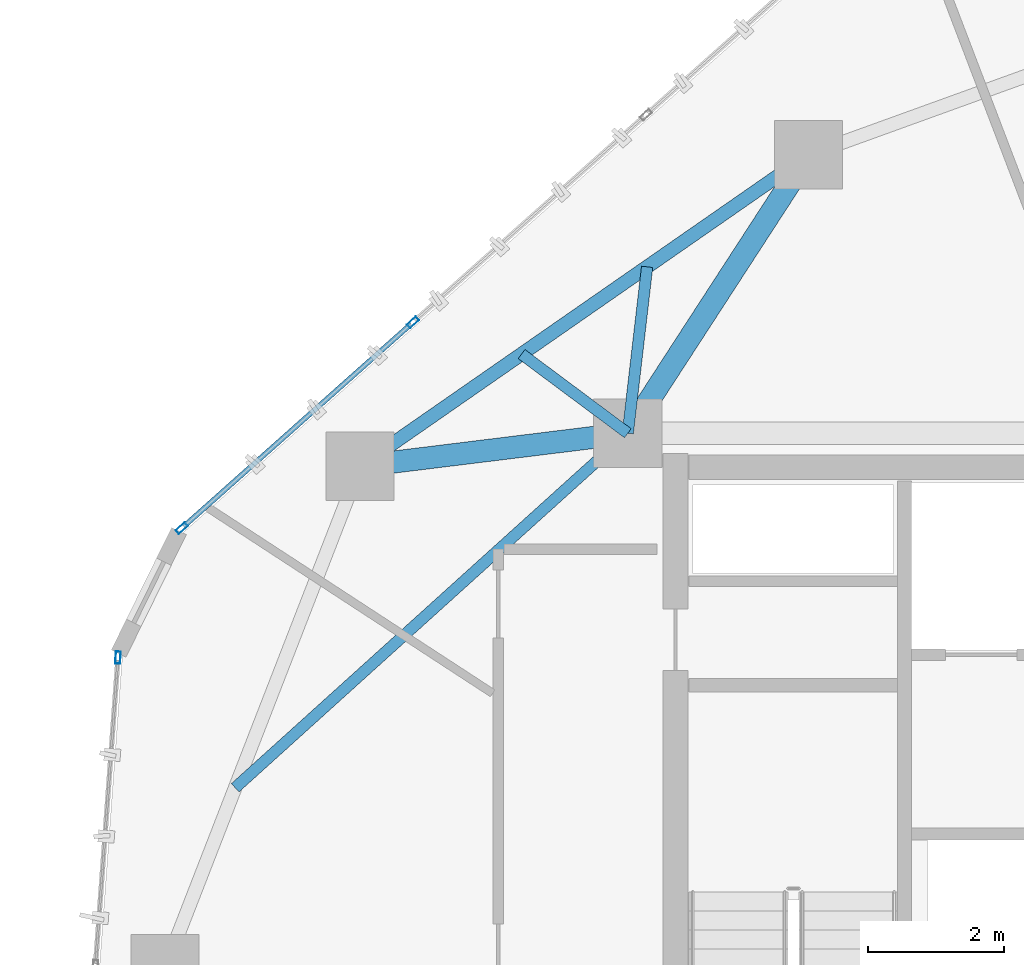
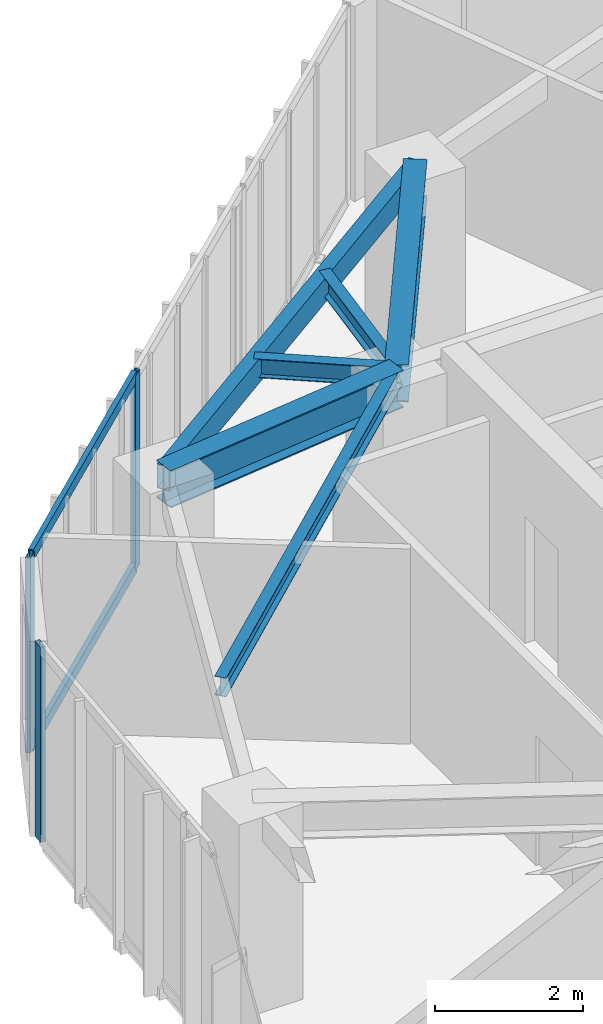
# One storey, part 9 of 19: 6 beams, 5 members, 2 elements without a shape of their own.
"""IFC4 building model written with IfcOpenShell, lengths in metres."""

from ifc_helpers import new_model, si_unit, direction, frame, origin, origin_2d, place, context, subcontext, project, spatial, hollow_rectangle, i_section, extrude, source, transform, mapped, material, layer, layer_set, material_profile, profile_set, type_object, type_shapes, element, aggregate, save


model = new_model("IFC4")

# Units and contexts
model_context = context("Model", 3, precision=1e-05, world=origin(), true_north=direction((0.0, 1.0)))
body_context = subcontext(model_context, "Body", "Model", "MODEL_VIEW")
ifc_project = project(units=[si_unit("LENGTHUNIT", "METRE"), si_unit("AREAUNIT", "SQUARE_METRE"), si_unit("VOLUMEUNIT", "CUBIC_METRE"), si_unit("PLANEANGLEUNIT", "RADIAN"), si_unit("MASSUNIT", "GRAM", prefix="KILO")], contexts=[model_context])

# Site, building, storey
site_placement = place(None, origin())
site = spatial("IfcSite", under=ifc_project, at=site_placement, CompositionType="ELEMENT")
building_placement = place(site_placement, origin())
building = spatial("IfcBuilding", under=site, at=building_placement, Name="Talar Marvaseh", CompositionType="ELEMENT")
storey_placement = place(building_placement, frame((0.0, 0.0, 222.199951171875)))
storey = spatial("IfcBuildingStorey", under=building, at=storey_placement, Name="L58", CompositionType="ELEMENT", Elevation=222.199951171875)

# Beams
ifc_material_1 = material(Name="Steel S355", Category="steel")
ifc_material_profile_1 = material_profile(ifc_material_1, hollow_rectangle(XDim=0.199951171875, YDim=0.39990234375, WallThickness=0.013916015625, at=origin_2d()), Name="RHS400x200x14")
ifc_profile_set_1 = profile_set([ifc_material_profile_1], Name="Steel S355")
beam_type_1 = type_object("IfcBeamType", Name="Zone 3 Perimeter Spandrel Beam RHS400x200x14", PredefinedType="SPANDREL", material=ifc_profile_set_1)
beam_1_placement = place(storey_placement, frame((14.77294921875, 36.416015625, 3.030029296875), z_axis=(0.821296978901, 0.570500896098, 0.0), x_axis=(-0.570500896098, 0.821296978901, 0.0)))
element("IfcBeam", 1, at=beam_1_placement, inside=storey, type_object=beam_type_1, Name="L58 Zone 3 Perimeter Spandrel Beam RHS400x200x14", PredefinedType="SPANDREL", context=body_context, shape_type="SweptSolid", body=[
    extrude(hollow_rectangle(XDim=0.199951171875, YDim=0.39990234375, WallThickness=0.013916015625, at=origin_2d()), origin(), (0.0, 0.0, 1.0), 8.0107421875),
])
ifc_material_profile_2 = material_profile(ifc_material_1, i_section(OverallWidth=0.324951171875, OverallDepth=0.615966796875, WebThickness=0.013916015625, FlangeThickness=0.021484375, at=origin_2d()), Name="W610x174")
ifc_profile_set_2 = profile_set([ifc_material_profile_2], Name="Steel S355")
beam_type_2 = type_object("IfcBeamType", Name="Zone 3 Radial Floor Girder W610x174", PredefinedType="BEAM", material=ifc_profile_set_2)
beam_2_placement = place(storey_placement, frame((14.77294921875, 36.416015625, 2.922119140625), z_axis=(0.99249373738, 0.122295467049, 0.0), x_axis=(-0.122295467049, 0.99249373738, 0.0)))
element("IfcBeam", 2, at=beam_2_placement, inside=storey, type_object=beam_type_2, Name="L58 Zone 3 Radial Floor Girder W610x174", PredefinedType="BEAM", context=body_context, shape_type="SweptSolid", body=[
    extrude(i_section(OverallWidth=0.324951171875, OverallDepth=0.615966796875, WebThickness=0.013916015625, FlangeThickness=0.021484375, at=origin_2d()), origin(), (0.0, 0.0, 1.0), 3.956787109375),
])
beam_3_placement = place(storey_placement, frame((21.35205078125, 40.986083984375, 2.922119140625), z_axis=(-0.544422757063, -0.838810980849, 0.0), x_axis=(0.838810980849, -0.544422757063, 0.0)))
element("IfcBeam", 3, at=beam_3_placement, inside=storey, type_object=beam_type_2, Name="L58 Zone 3 Radial Floor Girder W610x174", PredefinedType="BEAM", context=body_context, shape_type="SweptSolid", body=[
    extrude(i_section(OverallWidth=0.324951171875, OverallDepth=0.615966796875, WebThickness=0.013916015625, FlangeThickness=0.021484375, at=origin_2d()), origin(), (0.0, 0.0, 1.0), 4.871337890625),
])
ifc_material_profile_3 = material_profile(ifc_material_1, i_section(OverallWidth=0.166015625, OverallDepth=0.31298828125, WebThickness=0.006591796875, FlangeThickness=0.01123046875, at=origin_2d()), Name="W310x45")
ifc_profile_set_3 = profile_set([ifc_material_profile_3], Name="Steel S355")
beam_type_3 = type_object("IfcBeamType", Name="Zone 3 Secondary Floor Joist W310x45", PredefinedType="JOIST", material=ifc_profile_set_3)
beam_4_placement = place(storey_placement, frame((12.93994140625, 31.698486328125, 3.073486328125), z_axis=(0.74217784775, 0.670202985899, 0.0), x_axis=(-0.670202985899, 0.74217784775, 0.0)))
element("IfcBeam", 4, at=beam_4_placement, inside=storey, type_object=beam_type_3, Name="L58 Zone 3 Secondary Floor Joist W310x45", PredefinedType="JOIST", context=body_context, shape_type="SweptSolid", body=[
    extrude(i_section(OverallWidth=0.166015625, OverallDepth=0.31298828125, WebThickness=0.006591796875, FlangeThickness=0.01123046875, at=origin_2d()), origin(), (0.0, 0.0, 1.0), 7.760986328125),
])
beam_5_placement = place(storey_placement, frame((17.141357421875, 38.061279296875, 3.073486328125), z_axis=(0.801865127607, -0.597505077072, 0.0), x_axis=(0.597505077072, 0.801865127607, 0.0)))
element("IfcBeam", 5, at=beam_5_placement, inside=storey, type_object=beam_type_3, Name="L58 Zone 3 Secondary Floor Joist W310x45", PredefinedType="JOIST", context=body_context, shape_type="SweptSolid", body=[
    extrude(i_section(OverallWidth=0.166015625, OverallDepth=0.31298828125, WebThickness=0.006591796875, FlangeThickness=0.01123046875, at=origin_2d()), origin(), (0.0, 0.0, 1.0), 1.943603515625),
])
beam_6_placement = place(storey_placement, frame((18.983642578125, 39.3408203125, 3.073486328125), z_axis=(-0.115446145895, -0.993313740667, 0.0), x_axis=(0.993313740667, -0.115446145895, 0.0)))
element("IfcBeam", 6, at=beam_6_placement, inside=storey, type_object=beam_type_3, Name="L58 Zone 3 Secondary Floor Joist W310x45", PredefinedType="JOIST", context=body_context, shape_type="SweptSolid", body=[
    extrude(i_section(OverallWidth=0.166015625, OverallDepth=0.31298828125, WebThickness=0.006591796875, FlangeThickness=0.01123046875, at=origin_2d()), origin(), (0.0, 0.0, 1.0), 2.457275390625),
])

# Curtain wall, member
ifc_material_2 = material(Name="Architectural Aluminium", Category="aluminium")
ifc_layer = layer(ifc_material_2, 0.18994140625)
ifc_layer_set = layer_set([ifc_layer], Name="Architectural Aluminium")
curtain_wall_type = type_object("IfcCurtainWallType", Name="Unitised Solar Atelier Curtain Wall Z3", PredefinedType="NOTDEFINED", material=ifc_layer_set)
curtain_wall_1_placement = place(storey_placement, origin())
curtain_wall_1 = element("IfcCurtainWall", 7, at=curtain_wall_1_placement, inside=storey, type_object=curtain_wall_type, Name="L58 Unitised Solar Atelier Curtain Wall Z3", PredefinedType="NOTDEFINED")
ifc_material_profile_4 = material_profile(ifc_material_2, hollow_rectangle(XDim=0.074951171875, YDim=0.179931640625, WallThickness=0.0048828125, at=origin_2d()), Name="RHS180x75x5")
ifc_profile_set_4 = profile_set([ifc_material_profile_4], Name="Architectural Aluminium")
member_type_1 = type_object("IfcMemberType", Name="Unitised Curtain Wall Standard Mullion RHS180x75x5", PredefinedType="MULLION", material=ifc_profile_set_4)
shared_shape_1 = source(origin(), body_context, "Body", "SweptSolid", [
    extrude(hollow_rectangle(XDim=0.074951171875, YDim=0.179931640625, WallThickness=0.0048828125, at=origin_2d()), origin(), (0.0, 0.0, 1.0), 3.22998046875),
])
type_shapes(member_type_1, [shared_shape_1])
member_1_placement = place(storey_placement, frame((11.220703125, 33.60791015625, 0.0), z_axis=(0.0, 0.0, 1.0), x_axis=(-0.99733736785, 0.072925816354, 0.0)))
member_1 = element("IfcMember", 8, at=member_1_placement, type_object=member_type_1, Name="CW-Z3 mullion 4", PredefinedType="MULLION", context=body_context, shape_type="MappedRepresentation", body=[
    mapped(shared_shape_1, transform((0.0, 0.0, 0.0), x_axis=(1.0, 0.0, 0.0), y_axis=(0.0, 1.0, 0.0), z_axis=(0.0, 0.0, 1.0), scale=1.0)),
])
aggregate(curtain_wall_1, [member_1])

# Curtain wall, members
curtain_wall_2_placement = place(storey_placement, origin())
curtain_wall_2 = element("IfcCurtainWall", 9, at=curtain_wall_2_placement, inside=storey, type_object=curtain_wall_type, Name="L58 Unitised Solar Atelier Curtain Wall Z3", PredefinedType="NOTDEFINED")
member_2_placement = place(storey_placement, frame((12.1572265625, 35.507080078125, 0.0), z_axis=(0.0, 0.0, 1.0), x_axis=(-0.664998221476, 0.74684494069, 0.0)))
member_2 = element("IfcMember", 10, at=member_2_placement, type_object=member_type_1, Name="CW-Z3 mullion 1", PredefinedType="MULLION", context=body_context, shape_type="MappedRepresentation", body=[
    mapped(shared_shape_1, transform((0.0, 0.0, 0.0), x_axis=(1.0, 0.0, 0.0), y_axis=(0.0, 1.0, 0.0), z_axis=(0.0, 0.0, 1.0), scale=1.0)),
])
member_3_placement = place(storey_placement, frame((15.547607421875, 38.52587890625, 0.0), z_axis=(0.0, 0.0, 1.0), x_axis=(-0.664998221476, 0.74684494069, 0.0)))
member_3 = element("IfcMember", 11, at=member_3_placement, type_object=member_type_1, Name="CW-Z3 mullion 2", PredefinedType="MULLION", context=body_context, shape_type="MappedRepresentation", body=[
    mapped(shared_shape_1, transform((0.0, 0.0, 0.0), x_axis=(1.0, 0.0, 0.0), y_axis=(0.0, 1.0, 0.0), z_axis=(0.0, 0.0, 1.0), scale=1.0)),
])
ifc_material_profile_5 = material_profile(ifc_material_2, hollow_rectangle(XDim=0.074951171875, YDim=0.179931640625, WallThickness=0.0048828125, at=origin_2d()), Name="RHS180x75x5")
ifc_profile_set_5 = profile_set([ifc_material_profile_5], Name="Architectural Aluminium")
member_type_2 = type_object("IfcMemberType", Name="Unitised Curtain Wall Transom RHS180x75x5", PredefinedType="USERDEFINED", material=ifc_profile_set_5)
shared_shape_2 = source(origin(), body_context, "Body", "SweptSolid", [
    extrude(hollow_rectangle(XDim=0.074951171875, YDim=0.179931640625, WallThickness=0.0048828125, at=origin_2d()), origin(), (0.0, 0.0, 1.0), 4.464599609375),
])
type_shapes(member_type_2, [shared_shape_2])
member_4_placement = place(storey_placement, frame((12.185302734375, 35.531982421875, 0.03759765625), z_axis=(0.746850918303, 0.664991508089, 0.0), x_axis=(-0.664991508089, 0.746850918303, 0.0)))
member_4 = element("IfcMember", 12, at=member_4_placement, type_object=member_type_2, Name="CW-Z3 transom 1.1", ObjectType="TRANSOM", PredefinedType="USERDEFINED", context=body_context, shape_type="MappedRepresentation", body=[
    mapped(shared_shape_2, transform((0.0, 0.0, 0.0), x_axis=(1.0, 0.0, 0.0), y_axis=(0.0, 1.0, 0.0), z_axis=(0.0, 0.0, 1.0), scale=1.0)),
])
member_5_placement = place(storey_placement, frame((12.185302734375, 35.531982421875, 3.192626953125), z_axis=(0.746850918303, 0.664991508089, 0.0), x_axis=(-0.664991508089, 0.746850918303, 0.0)))
member_5 = element("IfcMember", 13, at=member_5_placement, type_object=member_type_2, Name="CW-Z3 transom 1.2", ObjectType="TRANSOM", PredefinedType="USERDEFINED", context=body_context, shape_type="MappedRepresentation", body=[
    mapped(shared_shape_2, transform((0.0, 0.0, 0.0), x_axis=(1.0, 0.0, 0.0), y_axis=(0.0, 1.0, 0.0), z_axis=(0.0, 0.0, 1.0), scale=1.0)),
])
aggregate(curtain_wall_2, [member_2, member_3, member_4, member_5])

save(model, "model.ifc")
